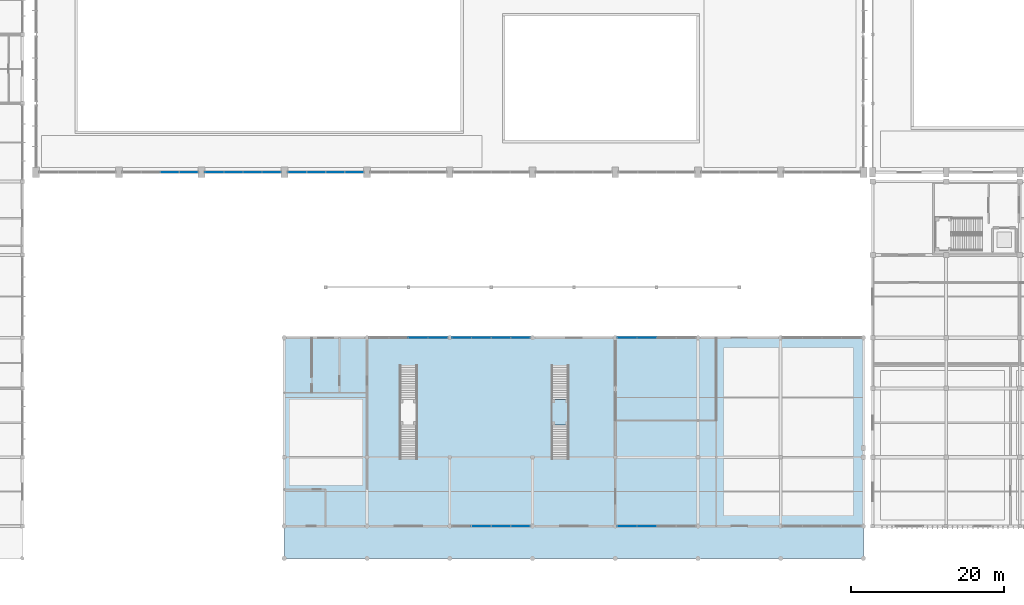
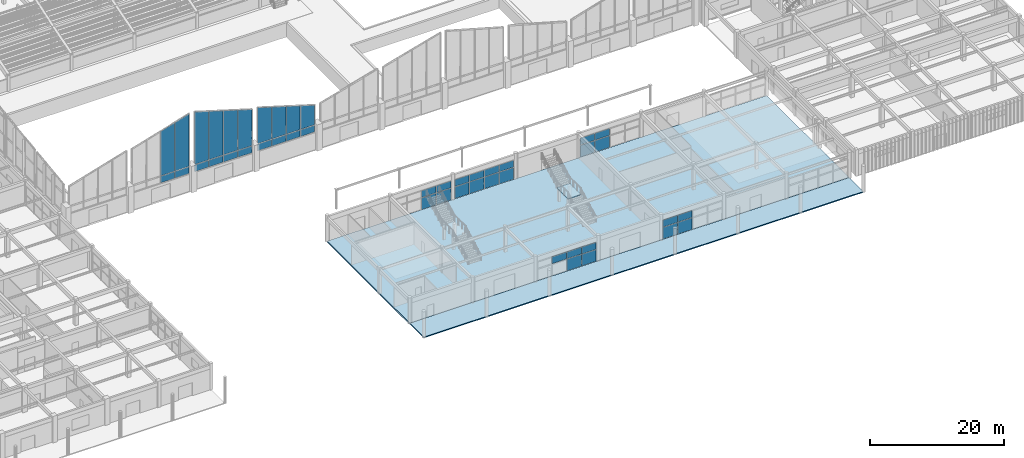
# One storey, part 41 of 82: 45 plates, 3 slabs, 9 elements without a shape of their own.
"""IFC4 building model written with IfcOpenShell, lengths in metres."""

import ifcopenshell
import ifcopenshell.guid

model = None  # the IFC model being written
_history = None  # IfcOwnerHistory: only IFC2X3 demands one
_inside = {}  # id of a spatial element -> (the spatial element, [elements in it])
_under = {}  # id of a project, library or spatial element -> (it, [spatial elements below it])
_declared = {}  # id of a project -> (the project, [libraries it declares])
_typed = {}  # id of a type object -> (the type object, [elements of that type])
_made_of = {}  # id of a material, layer set ... -> (it, [elements and type objects made of it])


def new_model(schema):
    """Start an empty IFC model of exactly this schema.

    Asked for "IFC4X3", IfcOpenShell would pick the latest addendum, in which some entities
    have other attributes; the version numbers below select the first issue.
    IFC2X3 requires an IfcOwnerHistory on every rooted entity: one is made here for all.
    """
    global model, _history
    if schema == "IFC4X3":
        model = ifcopenshell.file(schema_version=(4, 3, 0, 0))
    else:
        model = ifcopenshell.file(schema=schema)
    _inside.clear()
    _under.clear()
    _declared.clear()
    _typed.clear()
    _made_of.clear()
    _history = None
    if model.schema == "IFC2X3":
        org = make("IfcOrganization", Name="unknown")
        user = make(
            "IfcPersonAndOrganization",
            ThePerson=make("IfcPerson", FamilyName="unknown"),
            TheOrganization=org,
        )
        app = make(
            "IfcApplication",
            ApplicationDeveloper=org,
            Version="unknown",
            ApplicationFullName="unknown",
            ApplicationIdentifier="unknown",
        )
        _history = make(
            "IfcOwnerHistory",
            OwningUser=user,
            OwningApplication=app,
            ChangeAction="ADDED",
            CreationDate=0,
        )
    return model


def make(cls, **values):
    """One entity of the class cls with the attributes given. An attribute that is None is left unset."""
    return model.create_entity(
        cls, **{name: value for name, value in values.items() if value is not None}
    )


def rooted(cls, **values):
    """An entity with a GlobalId (a new one), such as an element, a storey or a relation."""
    return make(cls, GlobalId=ifcopenshell.guid.new(), OwnerHistory=_history, **values)


def si_unit(unit_type, name, prefix=None):
    """IfcSIUnit, for example si_unit("LENGTHUNIT", "METRE", prefix="MILLI")."""
    return make("IfcSIUnit", UnitType=unit_type, Prefix=prefix, Name=name)


def assignment(units):
    """IfcUnitAssignment: the units of a project."""
    return None if units is None else make("IfcUnitAssignment", Units=units)


def point(xyz):
    """IfcCartesianPoint."""
    return None if xyz is None else make("IfcCartesianPoint", Coordinates=xyz)


def direction(xyz):
    """IfcDirection."""
    return None if xyz is None else make("IfcDirection", DirectionRatios=xyz)


def frame(location, z_axis=None, x_axis=None):
    """IfcAxis2Placement3D, a coordinate frame: its origin and axes. An axis left out is left unset."""
    return make(
        "IfcAxis2Placement3D",
        Location=point(location),
        Axis=direction(z_axis),
        RefDirection=direction(x_axis),
    )


def origin():
    """The frame at (0, 0, 0) with its axes left unset."""
    return frame((0.0, 0.0, 0.0))


def place(relative_to, where):
    """IfcLocalPlacement: puts the frame where relative to a parent placement (None: the world)."""
    return make(
        "IfcLocalPlacement", PlacementRelTo=relative_to, RelativePlacement=where
    )


def context(
    kind, dimensions, precision=None, world=None, true_north=None, identifier=None
):
    """IfcGeometricRepresentationContext, for example the 3D "Model" context."""
    return make(
        "IfcGeometricRepresentationContext",
        ContextIdentifier=identifier,
        ContextType=kind,
        CoordinateSpaceDimension=dimensions,
        Precision=precision,
        WorldCoordinateSystem=world,
        TrueNorth=true_north,
    )


def subcontext(parent, identifier, kind, view, scale=None):
    """IfcGeometricRepresentationSubContext, for example "Body" below "Model"."""
    return make(
        "IfcGeometricRepresentationSubContext",
        ContextIdentifier=identifier,
        ContextType=kind,
        ParentContext=parent,
        TargetScale=scale,
        TargetView=view,
    )


def project(units=None, contexts=None):
    """IfcProject with its units and contexts."""
    return rooted(
        "IfcProject",
        Name="project",
        RepresentationContexts=contexts,
        UnitsInContext=assignment(units),
    )


def spatial(cls, under=None, at=None, **own):
    """A site, building, storey or space (cls), placed at a placement, below another one or the project."""
    s = rooted(cls, ObjectPlacement=at, **own)
    if under is not None:
        _under.setdefault(under.id(), (under, []))[1].append(s)
    return s


def polyline(points):
    """IfcPolyline through the points."""
    return make("IfcPolyline", Points=[point(p) for p in points])


def outline(outer, holes=None, kind="AREA"):
    """IfcArbitraryClosedProfileDef: a profile drawn as a closed curve; with holes, ...WithVoids."""
    if holes is None:
        return make("IfcArbitraryClosedProfileDef", ProfileType=kind, OuterCurve=outer)
    return make(
        "IfcArbitraryProfileDefWithVoids",
        ProfileType=kind,
        OuterCurve=outer,
        InnerCurves=holes,
    )


def extrude(swept, where, along, depth):
    """IfcExtrudedAreaSolid: the profile swept, set in the frame where, extruded along a direction by depth."""
    return make(
        "IfcExtrudedAreaSolid",
        SweptArea=swept,
        Position=where,
        ExtrudedDirection=direction(along),
        Depth=depth,
    )


def shape(context_of_items, identifier, shape_type, items):
    """IfcShapeRepresentation: the items that make up one representation, for example the "Body"."""
    return make(
        "IfcShapeRepresentation",
        ContextOfItems=context_of_items,
        RepresentationIdentifier=identifier,
        RepresentationType=shape_type,
        Items=items,
    )


def material(Name=None, Category=None):
    """IfcMaterial."""
    return make("IfcMaterial", Name=Name, Category=Category)


def layer(
    of_material, thickness, ventilated=None, Name=None, Category=None, Priority=None
):
    """IfcMaterialLayer: one layer of a wall or slab, of a material (None: an air gap)."""
    return make(
        "IfcMaterialLayer",
        Material=of_material,
        LayerThickness=thickness,
        IsVentilated=ventilated,
        Name=Name,
        Category=Category,
        Priority=Priority,
    )


def layer_set(layers, Name=None):
    """IfcMaterialLayerSet."""
    return make("IfcMaterialLayerSet", MaterialLayers=layers, LayerSetName=Name)


def made_of(thing, what):
    """Note that an element or type object is made of a material, layer set ...; save() writes the relation."""
    if what is not None:
        _made_of.setdefault(what.id(), (what, []))[1].append(thing)
    return thing


def type_object(cls, material=None, **own):
    """A type object (cls), such as IfcWallType, which elements share."""
    return made_of(rooted(cls, **own), material)


def element(
    cls,
    number,
    at=None,
    inside=None,
    cuts=None,
    type_object=None,
    material=None,
    context=None,
    identifier="Body",
    shape_type=None,
    held_by="IfcProductDefinitionShape",
    body=None,
    shapes=None,
    **own,
):
    """One element of the class cls, such as IfcWall. Its Tag is "e" and its number.

    at: its placement. inside: the storey or other place that contains it. cuts: it is an
    opening in that element (IfcRelVoidsElement). A single representation is given by context,
    identifier, shape_type and body (its items); several are given by shapes. held_by: the class
    of the entity that holds the representations. save() writes the other relations.
    """
    e = rooted(cls, Tag="e%d" % number, ObjectPlacement=at, **own)
    if body is not None:
        shapes = [shape(context, identifier, shape_type, body)]
    if shapes is not None:
        e.Representation = make(held_by, Representations=shapes)
    if inside is not None:
        _inside.setdefault(inside.id(), (inside, []))[1].append(e)
    if cuts is not None:
        rooted(
            "IfcRelVoidsElement", RelatingBuildingElement=cuts, RelatedOpeningElement=e
        )
    if type_object is not None:
        _typed.setdefault(type_object.id(), (type_object, []))[1].append(e)
    return made_of(e, material)


def aggregate(whole, parts):
    """IfcRelAggregates: a whole, such as a stair, and the parts it consists of."""
    return rooted("IfcRelAggregates", RelatingObject=whole, RelatedObjects=parts)


def save(model, path):
    """Write the relations noted so far, then the file.

    IfcRelAggregates (storeys below a building ...), IfcRelContainedInSpatialStructure (elements
    in a storey), IfcRelDefinesByType, IfcRelAssociatesMaterial and IfcRelDeclares: one each for
    every whole, place, type object, material and project.
    """
    for whole, parts in _under.values():
        aggregate(whole, parts)
    for where, things in _inside.values():
        rooted(
            "IfcRelContainedInSpatialStructure",
            RelatedElements=things,
            RelatingStructure=where,
        )
    for kind, things in _typed.values():
        rooted("IfcRelDefinesByType", RelatedObjects=things, RelatingType=kind)
    for what, things in _made_of.values():
        rooted("IfcRelAssociatesMaterial", RelatedObjects=things, RelatingMaterial=what)
    for by, libraries in _declared.values():
        rooted("IfcRelDeclares", RelatingContext=by, RelatedDefinitions=libraries)
    model.write(path)


model = new_model("IFC4")

# Units and contexts
model_context = context("Model", 3, precision=1e-05, world=origin(), true_north=direction((0.0, 1.0)))
body_context = subcontext(model_context, "Body", "Model", "MODEL_VIEW")
ifc_project = project(units=[si_unit("LENGTHUNIT", "METRE"), si_unit("AREAUNIT", "SQUARE_METRE"), si_unit("VOLUMEUNIT", "CUBIC_METRE"), si_unit("PLANEANGLEUNIT", "RADIAN"), si_unit("MASSUNIT", "GRAM", prefix="KILO")], contexts=[model_context])

# Site, building, storey
site_placement = place(None, origin())
site = spatial("IfcSite", under=ifc_project, at=site_placement, CompositionType="ELEMENT")
building_placement = place(site_placement, origin())
building = spatial("IfcBuilding", under=site, at=building_placement, Name="Suirenkawa Promenade Aquatics Centre", CompositionType="ELEMENT")
storey_placement = place(building_placement, origin())
storey = spatial("IfcBuildingStorey", under=building, at=storey_placement, Name="L00", CompositionType="ELEMENT", Elevation=0.0)

# Curtain wall, plates
ifc_material_1 = material(Name="Anodised aluminium 6063-T6", Category="aluminium")
curtain_wall_type_1 = type_object("IfcCurtainWallType", Name="CWAT-CLERS-08", PredefinedType="NOTDEFINED", material=ifc_material_1)
curtain_wall_1_placement = place(storey_placement, origin())
curtain_wall_1 = element("IfcCurtainWall", 1, at=curtain_wall_1_placement, inside=storey, type_object=curtain_wall_type_1, Name="Curtain wall CWA-08 CW-012", PredefinedType="NOTDEFINED")
ifc_material_2 = material(Name="Ceramic-fritted low-SHGC double glazing", Category="glass")
ifc_layer_1 = layer(ifc_material_2, 0.031982421875, Name="Ceramic-fritted low-SHGC double glazing", Category="glass")
ifc_layer_set_1 = layer_set([ifc_layer_1], Name="Ceramic-fritted low-SHGC double glazing")
plate_type_1 = type_object("IfcPlateType", Name="CWP-CLER-32", PredefinedType="CURTAIN_PANEL", material=ifc_layer_set_1)
plate_1_placement = place(storey_placement, frame((67.950927734375, 50.39990234375, 3.139892578125), z_axis=(0.0, 0.0, 1.0), x_axis=(-1.0, 0.0, 0.0)))
plate_1 = element("IfcPlate", 2, at=plate_1_placement, type_object=plate_type_1, Name="Glazed panel CP-03 CWP-00280", PredefinedType="CURTAIN_PANEL", context=body_context, shape_type="SweptSolid", body=[
    extrude(outline(polyline([(0.0400390625, 0.0), (2.435546875, 0.0), (2.435546875, 1.22021484375), (0.0400390625, 1.22021484375), (0.0400390625, 0.0)])), frame((0.0, 0.01611328125, 0.0), z_axis=(0.0, -1.0, 0.0), x_axis=(1.0, 0.0, 0.0)), (0.0, 0.0, 1.0), 0.031982421875),
])
plate_2_placement = place(storey_placement, frame((67.950927734375, 50.39990234375, 4.43994140625), z_axis=(0.0, 0.0, 1.0), x_axis=(-1.0, 0.0, 0.0)))
plate_2 = element("IfcPlate", 3, at=plate_2_placement, type_object=plate_type_1, Name="Top glazed panel CP-03 CWP-00281", PredefinedType="CURTAIN_PANEL", context=body_context, shape_type="SweptSolid", body=[
    extrude(outline(polyline([(0.0400390625, 0.0), (2.435546875, 0.0), (2.435546875, 8.820068359375), (0.0400390625, 9.570068359375), (0.0400390625, 0.0)])), frame((0.0, 0.01611328125, 0.0), z_axis=(0.0, -1.0, 0.0), x_axis=(1.0, 0.0, 0.0)), (0.0, 0.0, 1.0), 0.031982421875),
])
plate_3_placement = place(storey_placement, frame((65.4755859375, 50.39990234375, 3.139892578125), z_axis=(0.0, 0.0, 1.0), x_axis=(-1.0, 0.0, 0.0)))
plate_3 = element("IfcPlate", 4, at=plate_3_placement, type_object=plate_type_1, Name="Glazed panel CP-03 CWP-00282", PredefinedType="CURTAIN_PANEL", context=body_context, shape_type="SweptSolid", body=[
    extrude(outline(polyline([(0.0400390625, 0.0), (2.435546875, 0.0), (2.435546875, 1.22021484375), (0.0400390625, 1.22021484375), (0.0400390625, 0.0)])), frame((0.0, 0.01611328125, 0.0), z_axis=(0.0, -1.0, 0.0), x_axis=(1.0, 0.0, 0.0)), (0.0, 0.0, 1.0), 0.031982421875),
])
plate_4_placement = place(storey_placement, frame((65.4755859375, 50.39990234375, 4.43994140625), z_axis=(0.0, 0.0, 1.0), x_axis=(-1.0, 0.0, 0.0)))
plate_4 = element("IfcPlate", 5, at=plate_4_placement, type_object=plate_type_1, Name="Top glazed panel CP-03 CWP-00283", PredefinedType="CURTAIN_PANEL", context=body_context, shape_type="SweptSolid", body=[
    extrude(outline(polyline([(0.0400390625, 0.0), (2.435546875, 0.0), (2.435546875, 8.070068359375), (0.0400390625, 8.820068359375), (0.0400390625, 0.0)])), frame((0.0, 0.01611328125, 0.0), z_axis=(0.0, -1.0, 0.0), x_axis=(1.0, 0.0, 0.0)), (0.0, 0.0, 1.0), 0.031982421875),
])
aggregate(curtain_wall_1, [plate_1, plate_2, plate_3, plate_4])

curtain_wall_2_placement = place(storey_placement, origin())
curtain_wall_2 = element("IfcCurtainWall", 6, at=curtain_wall_2_placement, inside=storey, type_object=curtain_wall_type_1, Name="Curtain wall CWA-08 CW-014", PredefinedType="NOTDEFINED")
plate_5_placement = place(storey_placement, frame((78.7509765625, 50.39990234375, 3.139892578125), z_axis=(0.0, 0.0, 1.0), x_axis=(-1.0, 0.0, 0.0)))
plate_5 = element("IfcPlate", 7, at=plate_5_placement, type_object=plate_type_1, Name="Glazed panel CP-03 CWP-00318", PredefinedType="CURTAIN_PANEL", context=body_context, shape_type="SweptSolid", body=[
    extrude(outline(polyline([(0.0400390625, 0.0), (2.435546875, 0.0), (2.435546875, 1.22021484375), (0.0400390625, 1.22021484375), (0.0400390625, 0.0)])), frame((0.0, 0.01611328125, 0.0), z_axis=(0.0, -1.0, 0.0), x_axis=(1.0, 0.0, 0.0)), (0.0, 0.0, 1.0), 0.031982421875),
])
plate_6_placement = place(storey_placement, frame((78.7509765625, 50.39990234375, 4.43994140625), z_axis=(0.0, 0.0, 1.0), x_axis=(-1.0, 0.0, 0.0)))
plate_6 = element("IfcPlate", 8, at=plate_6_placement, type_object=plate_type_1, Name="Top glazed panel CP-03 CWP-00319", PredefinedType="CURTAIN_PANEL", context=body_context, shape_type="SweptSolid", body=[
    extrude(outline(polyline([(0.0400390625, 0.0), (2.435546875, 0.0), (2.435546875, 7.320068359375), (0.0400390625, 6.570068359375), (0.0400390625, 0.0)])), frame((0.0, 0.01611328125, 0.0), z_axis=(0.0, -1.0, 0.0), x_axis=(1.0, 0.0, 0.0)), (0.0, 0.0, 1.0), 0.031982421875),
])
plate_7_placement = place(storey_placement, frame((76.275390625, 50.39990234375, 3.139892578125), z_axis=(0.0, 0.0, 1.0), x_axis=(-1.0, 0.0, 0.0)))
plate_7 = element("IfcPlate", 9, at=plate_7_placement, type_object=plate_type_1, Name="Glazed panel CP-03 CWP-00320", PredefinedType="CURTAIN_PANEL", context=body_context, shape_type="SweptSolid", body=[
    extrude(outline(polyline([(0.0400390625, 0.0), (2.435546875, 0.0), (2.435546875, 1.22021484375), (0.0400390625, 1.22021484375), (0.0400390625, 0.0)])), frame((0.0, 0.01611328125, 0.0), z_axis=(0.0, -1.0, 0.0), x_axis=(1.0, 0.0, 0.0)), (0.0, 0.0, 1.0), 0.031982421875),
])
plate_8_placement = place(storey_placement, frame((76.275390625, 50.39990234375, 4.43994140625), z_axis=(0.0, 0.0, 1.0), x_axis=(-1.0, 0.0, 0.0)))
plate_8 = element("IfcPlate", 10, at=plate_8_placement, type_object=plate_type_1, Name="Top glazed panel CP-03 CWP-00321", PredefinedType="CURTAIN_PANEL", context=body_context, shape_type="SweptSolid", body=[
    extrude(outline(polyline([(0.0400390625, 0.0), (2.435546875, 0.0), (2.435546875, 8.070068359375), (0.0400390625, 7.320068359375), (0.0400390625, 0.0)])), frame((0.0, 0.01611328125, 0.0), z_axis=(0.0, -1.0, 0.0), x_axis=(1.0, 0.0, 0.0)), (0.0, 0.0, 1.0), 0.031982421875),
])
plate_9_placement = place(storey_placement, frame((73.800048828125, 50.39990234375, 3.139892578125), z_axis=(0.0, 0.0, 1.0), x_axis=(-1.0, 0.0, 0.0)))
plate_9 = element("IfcPlate", 11, at=plate_9_placement, type_object=plate_type_1, Name="Glazed panel CP-03 CWP-00322", PredefinedType="CURTAIN_PANEL", context=body_context, shape_type="SweptSolid", body=[
    extrude(outline(polyline([(0.0400390625, 0.0), (2.435546875, 0.0), (2.435546875, 1.22021484375), (0.0400390625, 1.22021484375), (0.0400390625, 0.0)])), frame((0.0, 0.01611328125, 0.0), z_axis=(0.0, -1.0, 0.0), x_axis=(1.0, 0.0, 0.0)), (0.0, 0.0, 1.0), 0.031982421875),
])
plate_10_placement = place(storey_placement, frame((73.800048828125, 50.39990234375, 4.43994140625), z_axis=(0.0, 0.0, 1.0), x_axis=(-1.0, 0.0, 0.0)))
plate_10 = element("IfcPlate", 12, at=plate_10_placement, type_object=plate_type_1, Name="Top glazed panel CP-03 CWP-00323", PredefinedType="CURTAIN_PANEL", context=body_context, shape_type="SweptSolid", body=[
    extrude(outline(polyline([(0.0400390625, 0.0), (2.435546875, 0.0), (2.435546875, 8.820068359375), (0.0400390625, 8.070068359375), (0.0400390625, 0.0)])), frame((0.0, 0.01611328125, 0.0), z_axis=(0.0, -1.0, 0.0), x_axis=(1.0, 0.0, 0.0)), (0.0, 0.0, 1.0), 0.031982421875),
])
plate_11_placement = place(storey_placement, frame((71.324462890625, 50.39990234375, 3.139892578125), z_axis=(0.0, 0.0, 1.0), x_axis=(-1.0, 0.0, 0.0)))
plate_11 = element("IfcPlate", 13, at=plate_11_placement, type_object=plate_type_1, Name="Glazed panel CP-03 CWP-00324", PredefinedType="CURTAIN_PANEL", context=body_context, shape_type="SweptSolid", body=[
    extrude(outline(polyline([(0.0400390625, 0.0), (2.435546875, 0.0), (2.435546875, 1.22021484375), (0.0400390625, 1.22021484375), (0.0400390625, 0.0)])), frame((0.0, 0.01611328125, 0.0), z_axis=(0.0, -1.0, 0.0), x_axis=(1.0, 0.0, 0.0)), (0.0, 0.0, 1.0), 0.031982421875),
])
plate_12_placement = place(storey_placement, frame((71.324462890625, 50.39990234375, 4.43994140625), z_axis=(0.0, 0.0, 1.0), x_axis=(-1.0, 0.0, 0.0)))
plate_12 = element("IfcPlate", 14, at=plate_12_placement, type_object=plate_type_1, Name="Top glazed panel CP-03 CWP-00325", PredefinedType="CURTAIN_PANEL", context=body_context, shape_type="SweptSolid", body=[
    extrude(outline(polyline([(0.0400390625, 0.0), (2.435546875, 0.0), (2.435546875, 9.570068359375), (0.0400390625, 8.820068359375), (0.0400390625, 0.0)])), frame((0.0, 0.01611328125, 0.0), z_axis=(0.0, -1.0, 0.0), x_axis=(1.0, 0.0, 0.0)), (0.0, 0.0, 1.0), 0.031982421875),
])
aggregate(curtain_wall_2, [plate_5, plate_6, plate_7, plate_8, plate_9, plate_10, plate_11, plate_12])

curtain_wall_type_2 = type_object("IfcCurtainWallType", Name="CWAT-CLERS-05", PredefinedType="NOTDEFINED", material=ifc_material_1)
curtain_wall_3_placement = place(storey_placement, origin())
curtain_wall_3 = element("IfcCurtainWall", 15, at=curtain_wall_3_placement, inside=storey, type_object=curtain_wall_type_2, Name="Curtain wall CWA-05 CW-016", PredefinedType="NOTDEFINED")
plate_13_placement = place(storey_placement, frame((89.551025390625, 50.39990234375, 3.139892578125), z_axis=(0.0, 0.0, 1.0), x_axis=(-1.0, 0.0, 0.0)))
plate_13 = element("IfcPlate", 16, at=plate_13_placement, type_object=plate_type_1, Name="Glazed panel CP-03 CWP-00356", PredefinedType="CURTAIN_PANEL", context=body_context, shape_type="SweptSolid", body=[
    extrude(outline(polyline([(0.0400390625, 0.0), (2.435546875, 0.0), (2.435546875, 1.22021484375), (0.0400390625, 1.22021484375), (0.0400390625, 0.0)])), frame((0.0, 0.01611328125, 0.0), z_axis=(0.0, -1.0, 0.0), x_axis=(1.0, 0.0, 0.0)), (0.0, 0.0, 1.0), 0.031982421875),
])
plate_14_placement = place(storey_placement, frame((89.551025390625, 50.39990234375, 4.43994140625), z_axis=(0.0, 0.0, 1.0), x_axis=(-1.0, 0.0, 0.0)))
plate_14 = element("IfcPlate", 17, at=plate_14_placement, type_object=plate_type_1, Name="Top glazed panel CP-03 CWP-00357", PredefinedType="CURTAIN_PANEL", context=body_context, shape_type="SweptSolid", body=[
    extrude(outline(polyline([(0.0400390625, 0.0), (2.435546875, 0.0), (2.435546875, 4.320068359375), (0.0400390625, 3.570068359375), (0.0400390625, 0.0)])), frame((0.0, 0.01611328125, 0.0), z_axis=(0.0, -1.0, 0.0), x_axis=(1.0, 0.0, 0.0)), (0.0, 0.0, 1.0), 0.031982421875),
])
plate_15_placement = place(storey_placement, frame((87.075439453125, 50.39990234375, 3.139892578125), z_axis=(0.0, 0.0, 1.0), x_axis=(-1.0, 0.0, 0.0)))
plate_15 = element("IfcPlate", 18, at=plate_15_placement, type_object=plate_type_1, Name="Glazed panel CP-03 CWP-00358", PredefinedType="CURTAIN_PANEL", context=body_context, shape_type="SweptSolid", body=[
    extrude(outline(polyline([(0.0400390625, 0.0), (2.435546875, 0.0), (2.435546875, 1.22021484375), (0.0400390625, 1.22021484375), (0.0400390625, 0.0)])), frame((0.0, 0.01611328125, 0.0), z_axis=(0.0, -1.0, 0.0), x_axis=(1.0, 0.0, 0.0)), (0.0, 0.0, 1.0), 0.031982421875),
])
plate_16_placement = place(storey_placement, frame((87.075439453125, 50.39990234375, 4.43994140625), z_axis=(0.0, 0.0, 1.0), x_axis=(-1.0, 0.0, 0.0)))
plate_16 = element("IfcPlate", 19, at=plate_16_placement, type_object=plate_type_1, Name="Top glazed panel CP-03 CWP-00359", PredefinedType="CURTAIN_PANEL", context=body_context, shape_type="SweptSolid", body=[
    extrude(outline(polyline([(0.0400390625, 0.0), (2.435546875, 0.0), (2.435546875, 5.070068359375), (0.0400390625, 4.320068359375), (0.0400390625, 0.0)])), frame((0.0, 0.01611328125, 0.0), z_axis=(0.0, -1.0, 0.0), x_axis=(1.0, 0.0, 0.0)), (0.0, 0.0, 1.0), 0.031982421875),
])
plate_17_placement = place(storey_placement, frame((84.60009765625, 50.39990234375, 3.139892578125), z_axis=(0.0, 0.0, 1.0), x_axis=(-1.0, 0.0, 0.0)))
plate_17 = element("IfcPlate", 20, at=plate_17_placement, type_object=plate_type_1, Name="Glazed panel CP-03 CWP-00360", PredefinedType="CURTAIN_PANEL", context=body_context, shape_type="SweptSolid", body=[
    extrude(outline(polyline([(0.0400390625, 0.0), (2.435546875, 0.0), (2.435546875, 1.22021484375), (0.0400390625, 1.22021484375), (0.0400390625, 0.0)])), frame((0.0, 0.01611328125, 0.0), z_axis=(0.0, -1.0, 0.0), x_axis=(1.0, 0.0, 0.0)), (0.0, 0.0, 1.0), 0.031982421875),
])
plate_18_placement = place(storey_placement, frame((84.60009765625, 50.39990234375, 4.43994140625), z_axis=(0.0, 0.0, 1.0), x_axis=(-1.0, 0.0, 0.0)))
plate_18 = element("IfcPlate", 21, at=plate_18_placement, type_object=plate_type_1, Name="Top glazed panel CP-03 CWP-00361", PredefinedType="CURTAIN_PANEL", context=body_context, shape_type="SweptSolid", body=[
    extrude(outline(polyline([(0.0400390625, 0.0), (2.435546875, 0.0), (2.435546875, 5.820068359375), (0.0400390625, 5.070068359375), (0.0400390625, 0.0)])), frame((0.0, 0.01611328125, 0.0), z_axis=(0.0, -1.0, 0.0), x_axis=(1.0, 0.0, 0.0)), (0.0, 0.0, 1.0), 0.031982421875),
])
plate_19_placement = place(storey_placement, frame((82.12451171875, 50.39990234375, 3.139892578125), z_axis=(0.0, 0.0, 1.0), x_axis=(-1.0, 0.0, 0.0)))
plate_19 = element("IfcPlate", 22, at=plate_19_placement, type_object=plate_type_1, Name="Glazed panel CP-03 CWP-00362", PredefinedType="CURTAIN_PANEL", context=body_context, shape_type="SweptSolid", body=[
    extrude(outline(polyline([(0.0400390625, 0.0), (2.435546875, 0.0), (2.435546875, 1.22021484375), (0.0400390625, 1.22021484375), (0.0400390625, 0.0)])), frame((0.0, 0.01611328125, 0.0), z_axis=(0.0, -1.0, 0.0), x_axis=(1.0, 0.0, 0.0)), (0.0, 0.0, 1.0), 0.031982421875),
])
plate_20_placement = place(storey_placement, frame((82.12451171875, 50.39990234375, 4.43994140625), z_axis=(0.0, 0.0, 1.0), x_axis=(-1.0, 0.0, 0.0)))
plate_20 = element("IfcPlate", 23, at=plate_20_placement, type_object=plate_type_1, Name="Top glazed panel CP-03 CWP-00363", PredefinedType="CURTAIN_PANEL", context=body_context, shape_type="SweptSolid", body=[
    extrude(outline(polyline([(0.0400390625, 0.0), (2.435546875, 0.0), (2.435546875, 6.570068359375), (0.0400390625, 5.820068359375), (0.0400390625, 0.0)])), frame((0.0, 0.01611328125, 0.0), z_axis=(0.0, -1.0, 0.0), x_axis=(1.0, 0.0, 0.0)), (0.0, 0.0, 1.0), 0.031982421875),
])
aggregate(curtain_wall_3, [plate_13, plate_14, plate_15, plate_16, plate_17, plate_18, plate_19, plate_20])

curtain_wall_type_3 = type_object("IfcCurtainWallType", Name="CWAT-V3NL0-26", PredefinedType="NOTDEFINED", material=ifc_material_1)
curtain_wall_4_placement = place(storey_placement, origin())
curtain_wall_4 = element("IfcCurtainWall", 24, at=curtain_wall_4_placement, inside=storey, type_object=curtain_wall_type_3, Name="Curtain wall CWA-26 CW-058", PredefinedType="NOTDEFINED")
ifc_material_3 = material(Name="Low-E thermally broken double glazing", Category="glass")
ifc_layer_2 = layer(ifc_material_3, 0.0419921875, Name="Low-E thermally broken double glazing", Category="glass")
ifc_layer_set_2 = layer_set([ifc_layer_2], Name="Low-E thermally broken double glazing")
plate_type_2 = type_object("IfcPlateType", Name="CWP-FOYER-42", PredefinedType="CURTAIN_PANEL", material=ifc_layer_set_2)
plate_21_placement = place(storey_placement, frame((95.39990234375, 28.800048828125, 0.0400390625), z_axis=(0.0, 0.0, 1.0), x_axis=(1.0, 0.0, 0.0)))
plate_21 = element("IfcPlate", 25, at=plate_21_placement, type_object=plate_type_2, Name="Glazed panel CP-04 CWP-01163", PredefinedType="CURTAIN_PANEL", context=body_context, shape_type="SweptSolid", body=[
    extrude(outline(polyline([(0.0400390625, 0.0), (2.510498046875, 0.0), (2.510498046875, 2.119873046875), (0.0400390625, 2.119873046875), (0.0400390625, 0.0)])), frame((0.0, 0.02099609375, 0.0), z_axis=(0.0, -1.0, 0.0), x_axis=(1.0, 0.0, 0.0)), (0.0, 0.0, 1.0), 0.0419921875),
])
plate_22_placement = place(storey_placement, frame((95.39990234375, 28.800048828125, 2.239990234375), z_axis=(0.0, 0.0, 1.0), x_axis=(1.0, 0.0, 0.0)))
plate_22 = element("IfcPlate", 26, at=plate_22_placement, type_object=plate_type_2, Name="Top glazed panel CP-04 CWP-01164", PredefinedType="CURTAIN_PANEL", context=body_context, shape_type="SweptSolid", body=[
    extrude(outline(polyline([(0.0400390625, 0.0), (2.510498046875, 0.0), (2.510498046875, 1.239990234375), (0.0400390625, 1.239990234375), (0.0400390625, 0.0)])), frame((0.0, 0.02099609375, 0.0), z_axis=(0.0, -1.0, 0.0), x_axis=(1.0, 0.0, 0.0)), (0.0, 0.0, 1.0), 0.0419921875),
])
plate_23_placement = place(storey_placement, frame((97.950439453125, 28.800048828125, 0.0400390625), z_axis=(0.0, 0.0, 1.0), x_axis=(1.0, 0.0, 0.0)))
plate_23 = element("IfcPlate", 27, at=plate_23_placement, type_object=plate_type_2, Name="Glazed panel CP-04 CWP-01165", PredefinedType="CURTAIN_PANEL", context=body_context, shape_type="SweptSolid", body=[
    extrude(outline(polyline([(0.0400390625, 0.0), (2.510498046875, 0.0), (2.510498046875, 2.119873046875), (0.0400390625, 2.119873046875), (0.0400390625, 0.0)])), frame((0.0, 0.02099609375, 0.0), z_axis=(0.0, -1.0, 0.0), x_axis=(1.0, 0.0, 0.0)), (0.0, 0.0, 1.0), 0.0419921875),
])
plate_24_placement = place(storey_placement, frame((97.950439453125, 28.800048828125, 2.239990234375), z_axis=(0.0, 0.0, 1.0), x_axis=(1.0, 0.0, 0.0)))
plate_24 = element("IfcPlate", 28, at=plate_24_placement, type_object=plate_type_2, Name="Top glazed panel CP-04 CWP-01166", PredefinedType="CURTAIN_PANEL", context=body_context, shape_type="SweptSolid", body=[
    extrude(outline(polyline([(0.0400390625, 0.0), (2.510498046875, 0.0), (2.510498046875, 1.239990234375), (0.0400390625, 1.239990234375), (0.0400390625, 0.0)])), frame((0.0, 0.02099609375, 0.0), z_axis=(0.0, -1.0, 0.0), x_axis=(1.0, 0.0, 0.0)), (0.0, 0.0, 1.0), 0.0419921875),
])
aggregate(curtain_wall_4, [plate_21, plate_22, plate_23, plate_24])

curtain_wall_type_4 = type_object("IfcCurtainWallType", Name="CWAT-V3SL0-27", PredefinedType="NOTDEFINED", material=ifc_material_1)
curtain_wall_5_placement = place(storey_placement, origin())
curtain_wall_5 = element("IfcCurtainWall", 29, at=curtain_wall_5_placement, inside=storey, type_object=curtain_wall_type_4, Name="Curtain wall CWA-27 CW-061", PredefinedType="NOTDEFINED")
plate_25_placement = place(storey_placement, frame((111.301025390625, 4.199951171875, 0.0400390625), z_axis=(0.0, 0.0, 1.0), x_axis=(-1.0, 0.0, 0.0)))
plate_25 = element("IfcPlate", 30, at=plate_25_placement, type_object=plate_type_2, Name="Glazed panel CP-04 CWP-01225", PredefinedType="CURTAIN_PANEL", context=body_context, shape_type="SweptSolid", body=[
    extrude(outline(polyline([(0.0400390625, 0.0), (2.510498046875, 0.0), (2.510498046875, 2.119873046875), (0.0400390625, 2.119873046875), (0.0400390625, 0.0)])), frame((0.0, 0.02099609375, 0.0), z_axis=(0.0, -1.0, 0.0), x_axis=(1.0, 0.0, 0.0)), (0.0, 0.0, 1.0), 0.0419921875),
])
plate_26_placement = place(storey_placement, frame((111.301025390625, 4.199951171875, 2.239990234375), z_axis=(0.0, 0.0, 1.0), x_axis=(-1.0, 0.0, 0.0)))
plate_26 = element("IfcPlate", 31, at=plate_26_placement, type_object=plate_type_2, Name="Top glazed panel CP-04 CWP-01226", PredefinedType="CURTAIN_PANEL", context=body_context, shape_type="SweptSolid", body=[
    extrude(outline(polyline([(0.0400390625, 0.0), (2.510498046875, 0.0), (2.510498046875, 1.239990234375), (0.0400390625, 1.239990234375), (0.0400390625, 0.0)])), frame((0.0, 0.02099609375, 0.0), z_axis=(0.0, -1.0, 0.0), x_axis=(1.0, 0.0, 0.0)), (0.0, 0.0, 1.0), 0.0419921875),
])
plate_27_placement = place(storey_placement, frame((108.75048828125, 4.199951171875, 0.0400390625), z_axis=(0.0, 0.0, 1.0), x_axis=(-1.0, 0.0, 0.0)))
plate_27 = element("IfcPlate", 32, at=plate_27_placement, type_object=plate_type_2, Name="Glazed panel CP-04 CWP-01227", PredefinedType="CURTAIN_PANEL", context=body_context, shape_type="SweptSolid", body=[
    extrude(outline(polyline([(0.0400390625, 0.0), (2.510498046875, 0.0), (2.510498046875, 2.119873046875), (0.0400390625, 2.119873046875), (0.0400390625, 0.0)])), frame((0.0, 0.02099609375, 0.0), z_axis=(0.0, -1.0, 0.0), x_axis=(1.0, 0.0, 0.0)), (0.0, 0.0, 1.0), 0.0419921875),
])
plate_28_placement = place(storey_placement, frame((108.75048828125, 4.199951171875, 2.239990234375), z_axis=(0.0, 0.0, 1.0), x_axis=(-1.0, 0.0, 0.0)))
plate_28 = element("IfcPlate", 33, at=plate_28_placement, type_object=plate_type_2, Name="Top glazed panel CP-04 CWP-01228", PredefinedType="CURTAIN_PANEL", context=body_context, shape_type="SweptSolid", body=[
    extrude(outline(polyline([(0.0400390625, 0.0), (2.510498046875, 0.0), (2.510498046875, 1.239990234375), (0.0400390625, 1.239990234375), (0.0400390625, 0.0)])), frame((0.0, 0.02099609375, 0.0), z_axis=(0.0, -1.0, 0.0), x_axis=(1.0, 0.0, 0.0)), (0.0, 0.0, 1.0), 0.0419921875),
])
plate_29_placement = place(storey_placement, frame((106.199951171875, 4.199951171875, 2.239990234375), z_axis=(0.0, 0.0, 1.0), x_axis=(-1.0, 0.0, 0.0)))
plate_29 = element("IfcPlate", 34, at=plate_29_placement, type_object=plate_type_2, Name="Top glazed panel CP-04 CWP-01230", PredefinedType="CURTAIN_PANEL", context=body_context, shape_type="SweptSolid", body=[
    extrude(outline(polyline([(0.0400390625, 0.0), (2.510498046875, 0.0), (2.510498046875, 1.239990234375), (0.0400390625, 1.239990234375), (0.0400390625, 0.0)])), frame((0.0, 0.02099609375, 0.0), z_axis=(0.0, -1.0, 0.0), x_axis=(1.0, 0.0, 0.0)), (0.0, 0.0, 1.0), 0.0419921875),
])
aggregate(curtain_wall_5, [plate_25, plate_26, plate_27, plate_28, plate_29])

curtain_wall_6_placement = place(storey_placement, origin())
curtain_wall_6 = element("IfcCurtainWall", 35, at=curtain_wall_6_placement, inside=storey, type_object=curtain_wall_type_3, Name="Curtain wall CWA-26 CW-062", PredefinedType="NOTDEFINED")
plate_30_placement = place(storey_placement, frame((101.09912109375, 28.800048828125, 0.0400390625), z_axis=(0.0, 0.0, 1.0), x_axis=(1.0, 0.0, 0.0)))
plate_30 = element("IfcPlate", 36, at=plate_30_placement, type_object=plate_type_2, Name="Glazed panel CP-04 CWP-01247", PredefinedType="CURTAIN_PANEL", context=body_context, shape_type="SweptSolid", body=[
    extrude(outline(polyline([(0.0400390625, 0.0), (2.510498046875, 0.0), (2.510498046875, 2.119873046875), (0.0400390625, 2.119873046875), (0.0400390625, 0.0)])), frame((0.0, 0.02099609375, 0.0), z_axis=(0.0, -1.0, 0.0), x_axis=(1.0, 0.0, 0.0)), (0.0, 0.0, 1.0), 0.0419921875),
])
plate_31_placement = place(storey_placement, frame((101.09912109375, 28.800048828125, 2.239990234375), z_axis=(0.0, 0.0, 1.0), x_axis=(1.0, 0.0, 0.0)))
plate_31 = element("IfcPlate", 37, at=plate_31_placement, type_object=plate_type_2, Name="Top glazed panel CP-04 CWP-01248", PredefinedType="CURTAIN_PANEL", context=body_context, shape_type="SweptSolid", body=[
    extrude(outline(polyline([(0.0400390625, 0.0), (2.510498046875, 0.0), (2.510498046875, 1.239990234375), (0.0400390625, 1.239990234375), (0.0400390625, 0.0)])), frame((0.0, 0.02099609375, 0.0), z_axis=(0.0, -1.0, 0.0), x_axis=(1.0, 0.0, 0.0)), (0.0, 0.0, 1.0), 0.0419921875),
])
plate_32_placement = place(storey_placement, frame((103.6494140625, 28.800048828125, 0.0400390625), z_axis=(0.0, 0.0, 1.0), x_axis=(1.0, 0.0, 0.0)))
plate_32 = element("IfcPlate", 38, at=plate_32_placement, type_object=plate_type_2, Name="Glazed panel CP-04 CWP-01249", PredefinedType="CURTAIN_PANEL", context=body_context, shape_type="SweptSolid", body=[
    extrude(outline(polyline([(0.0400390625, 0.0), (2.510498046875, 0.0), (2.510498046875, 2.119873046875), (0.0400390625, 2.119873046875), (0.0400390625, 0.0)])), frame((0.0, 0.02099609375, 0.0), z_axis=(0.0, -1.0, 0.0), x_axis=(1.0, 0.0, 0.0)), (0.0, 0.0, 1.0), 0.0419921875),
])
plate_33_placement = place(storey_placement, frame((103.6494140625, 28.800048828125, 2.239990234375), z_axis=(0.0, 0.0, 1.0), x_axis=(1.0, 0.0, 0.0)))
plate_33 = element("IfcPlate", 39, at=plate_33_placement, type_object=plate_type_2, Name="Top glazed panel CP-04 CWP-01250", PredefinedType="CURTAIN_PANEL", context=body_context, shape_type="SweptSolid", body=[
    extrude(outline(polyline([(0.0400390625, 0.0), (2.510498046875, 0.0), (2.510498046875, 1.239990234375), (0.0400390625, 1.239990234375), (0.0400390625, 0.0)])), frame((0.0, 0.02099609375, 0.0), z_axis=(0.0, -1.0, 0.0), x_axis=(1.0, 0.0, 0.0)), (0.0, 0.0, 1.0), 0.0419921875),
])
plate_34_placement = place(storey_placement, frame((106.199951171875, 28.800048828125, 0.0400390625), z_axis=(0.0, 0.0, 1.0), x_axis=(1.0, 0.0, 0.0)))
plate_34 = element("IfcPlate", 40, at=plate_34_placement, type_object=plate_type_2, Name="Glazed panel CP-04 CWP-01251", PredefinedType="CURTAIN_PANEL", context=body_context, shape_type="SweptSolid", body=[
    extrude(outline(polyline([(0.0400390625, 0.0), (2.510498046875, 0.0), (2.510498046875, 2.119873046875), (0.0400390625, 2.119873046875), (0.0400390625, 0.0)])), frame((0.0, 0.02099609375, 0.0), z_axis=(0.0, -1.0, 0.0), x_axis=(1.0, 0.0, 0.0)), (0.0, 0.0, 1.0), 0.0419921875),
])
plate_35_placement = place(storey_placement, frame((106.199951171875, 28.800048828125, 2.239990234375), z_axis=(0.0, 0.0, 1.0), x_axis=(1.0, 0.0, 0.0)))
plate_35 = element("IfcPlate", 41, at=plate_35_placement, type_object=plate_type_2, Name="Top glazed panel CP-04 CWP-01252", PredefinedType="CURTAIN_PANEL", context=body_context, shape_type="SweptSolid", body=[
    extrude(outline(polyline([(0.0400390625, 0.0), (2.510498046875, 0.0), (2.510498046875, 1.239990234375), (0.0400390625, 1.239990234375), (0.0400390625, 0.0)])), frame((0.0, 0.02099609375, 0.0), z_axis=(0.0, -1.0, 0.0), x_axis=(1.0, 0.0, 0.0)), (0.0, 0.0, 1.0), 0.0419921875),
])
plate_36_placement = place(storey_placement, frame((108.75048828125, 28.800048828125, 0.0400390625), z_axis=(0.0, 0.0, 1.0), x_axis=(1.0, 0.0, 0.0)))
plate_36 = element("IfcPlate", 42, at=plate_36_placement, type_object=plate_type_2, Name="Glazed panel CP-04 CWP-01253", PredefinedType="CURTAIN_PANEL", context=body_context, shape_type="SweptSolid", body=[
    extrude(outline(polyline([(0.0400390625, 0.0), (2.510498046875, 0.0), (2.510498046875, 2.119873046875), (0.0400390625, 2.119873046875), (0.0400390625, 0.0)])), frame((0.0, 0.02099609375, 0.0), z_axis=(0.0, -1.0, 0.0), x_axis=(1.0, 0.0, 0.0)), (0.0, 0.0, 1.0), 0.0419921875),
])
plate_37_placement = place(storey_placement, frame((108.75048828125, 28.800048828125, 2.239990234375), z_axis=(0.0, 0.0, 1.0), x_axis=(1.0, 0.0, 0.0)))
plate_37 = element("IfcPlate", 43, at=plate_37_placement, type_object=plate_type_2, Name="Top glazed panel CP-04 CWP-01254", PredefinedType="CURTAIN_PANEL", context=body_context, shape_type="SweptSolid", body=[
    extrude(outline(polyline([(0.0400390625, 0.0), (2.510498046875, 0.0), (2.510498046875, 1.239990234375), (0.0400390625, 1.239990234375), (0.0400390625, 0.0)])), frame((0.0, 0.02099609375, 0.0), z_axis=(0.0, -1.0, 0.0), x_axis=(1.0, 0.0, 0.0)), (0.0, 0.0, 1.0), 0.0419921875),
])
aggregate(curtain_wall_6, [plate_30, plate_31, plate_32, plate_33, plate_34, plate_35, plate_36, plate_37])

curtain_wall_7_placement = place(storey_placement, origin())
curtain_wall_7 = element("IfcCurtainWall", 44, at=curtain_wall_7_placement, inside=storey, type_object=curtain_wall_type_4, Name="Curtain wall CWA-27 CW-067", PredefinedType="NOTDEFINED")
plate_38_placement = place(storey_placement, frame((127.800048828125, 4.199951171875, 0.0400390625), z_axis=(0.0, 0.0, 1.0), x_axis=(-1.0, 0.0, 0.0)))
plate_38 = element("IfcPlate", 45, at=plate_38_placement, type_object=plate_type_2, Name="Glazed panel CP-04 CWP-01361", PredefinedType="CURTAIN_PANEL", context=body_context, shape_type="SweptSolid", body=[
    extrude(outline(polyline([(0.0400390625, 0.0), (2.510498046875, 0.0), (2.510498046875, 2.119873046875), (0.0400390625, 2.119873046875), (0.0400390625, 0.0)])), frame((0.0, 0.02099609375, 0.0), z_axis=(0.0, -1.0, 0.0), x_axis=(1.0, 0.0, 0.0)), (0.0, 0.0, 1.0), 0.0419921875),
])
plate_39_placement = place(storey_placement, frame((127.800048828125, 4.199951171875, 2.239990234375), z_axis=(0.0, 0.0, 1.0), x_axis=(-1.0, 0.0, 0.0)))
plate_39 = element("IfcPlate", 46, at=plate_39_placement, type_object=plate_type_2, Name="Top glazed panel CP-04 CWP-01362", PredefinedType="CURTAIN_PANEL", context=body_context, shape_type="SweptSolid", body=[
    extrude(outline(polyline([(0.0400390625, 0.0), (2.510498046875, 0.0), (2.510498046875, 1.239990234375), (0.0400390625, 1.239990234375), (0.0400390625, 0.0)])), frame((0.0, 0.02099609375, 0.0), z_axis=(0.0, -1.0, 0.0), x_axis=(1.0, 0.0, 0.0)), (0.0, 0.0, 1.0), 0.0419921875),
])
plate_40_placement = place(storey_placement, frame((125.24951171875, 4.199951171875, 0.0400390625), z_axis=(0.0, 0.0, 1.0), x_axis=(-1.0, 0.0, 0.0)))
plate_40 = element("IfcPlate", 47, at=plate_40_placement, type_object=plate_type_2, Name="Glazed panel CP-04 CWP-01363", PredefinedType="CURTAIN_PANEL", context=body_context, shape_type="SweptSolid", body=[
    extrude(outline(polyline([(0.0400390625, 0.0), (2.510498046875, 0.0), (2.510498046875, 2.119873046875), (0.0400390625, 2.119873046875), (0.0400390625, 0.0)])), frame((0.0, 0.02099609375, 0.0), z_axis=(0.0, -1.0, 0.0), x_axis=(1.0, 0.0, 0.0)), (0.0, 0.0, 1.0), 0.0419921875),
])
plate_41_placement = place(storey_placement, frame((125.24951171875, 4.199951171875, 2.239990234375), z_axis=(0.0, 0.0, 1.0), x_axis=(-1.0, 0.0, 0.0)))
plate_41 = element("IfcPlate", 48, at=plate_41_placement, type_object=plate_type_2, Name="Top glazed panel CP-04 CWP-01364", PredefinedType="CURTAIN_PANEL", context=body_context, shape_type="SweptSolid", body=[
    extrude(outline(polyline([(0.0400390625, 0.0), (2.510498046875, 0.0), (2.510498046875, 1.239990234375), (0.0400390625, 1.239990234375), (0.0400390625, 0.0)])), frame((0.0, 0.02099609375, 0.0), z_axis=(0.0, -1.0, 0.0), x_axis=(1.0, 0.0, 0.0)), (0.0, 0.0, 1.0), 0.0419921875),
])
aggregate(curtain_wall_7, [plate_38, plate_39, plate_40, plate_41])

curtain_wall_8_placement = place(storey_placement, origin())
curtain_wall_8 = element("IfcCurtainWall", 49, at=curtain_wall_8_placement, inside=storey, type_object=curtain_wall_type_3, Name="Curtain wall CWA-26 CW-068", PredefinedType="NOTDEFINED")
plate_42_placement = place(storey_placement, frame((122.698974609375, 28.800048828125, 0.0400390625), z_axis=(0.0, 0.0, 1.0), x_axis=(1.0, 0.0, 0.0)))
plate_42 = element("IfcPlate", 50, at=plate_42_placement, type_object=plate_type_2, Name="Glazed panel CP-04 CWP-01379", PredefinedType="CURTAIN_PANEL", context=body_context, shape_type="SweptSolid", body=[
    extrude(outline(polyline([(0.0400390625, 0.0), (2.510498046875, 0.0), (2.510498046875, 2.119873046875), (0.0400390625, 2.119873046875), (0.0400390625, 0.0)])), frame((0.0, 0.02099609375, 0.0), z_axis=(0.0, -1.0, 0.0), x_axis=(1.0, 0.0, 0.0)), (0.0, 0.0, 1.0), 0.0419921875),
])
plate_43_placement = place(storey_placement, frame((122.698974609375, 28.800048828125, 2.239990234375), z_axis=(0.0, 0.0, 1.0), x_axis=(1.0, 0.0, 0.0)))
plate_43 = element("IfcPlate", 51, at=plate_43_placement, type_object=plate_type_2, Name="Top glazed panel CP-04 CWP-01380", PredefinedType="CURTAIN_PANEL", context=body_context, shape_type="SweptSolid", body=[
    extrude(outline(polyline([(0.0400390625, 0.0), (2.510498046875, 0.0), (2.510498046875, 1.239990234375), (0.0400390625, 1.239990234375), (0.0400390625, 0.0)])), frame((0.0, 0.02099609375, 0.0), z_axis=(0.0, -1.0, 0.0), x_axis=(1.0, 0.0, 0.0)), (0.0, 0.0, 1.0), 0.0419921875),
])
plate_44_placement = place(storey_placement, frame((125.24951171875, 28.800048828125, 0.0400390625), z_axis=(0.0, 0.0, 1.0), x_axis=(1.0, 0.0, 0.0)))
plate_44 = element("IfcPlate", 52, at=plate_44_placement, type_object=plate_type_2, Name="Glazed panel CP-04 CWP-01381", PredefinedType="CURTAIN_PANEL", context=body_context, shape_type="SweptSolid", body=[
    extrude(outline(polyline([(0.0400390625, 0.0), (2.510498046875, 0.0), (2.510498046875, 2.119873046875), (0.0400390625, 2.119873046875), (0.0400390625, 0.0)])), frame((0.0, 0.02099609375, 0.0), z_axis=(0.0, -1.0, 0.0), x_axis=(1.0, 0.0, 0.0)), (0.0, 0.0, 1.0), 0.0419921875),
])
plate_45_placement = place(storey_placement, frame((125.24951171875, 28.800048828125, 2.239990234375), z_axis=(0.0, 0.0, 1.0), x_axis=(1.0, 0.0, 0.0)))
plate_45 = element("IfcPlate", 53, at=plate_45_placement, type_object=plate_type_2, Name="Top glazed panel CP-04 CWP-01382", PredefinedType="CURTAIN_PANEL", context=body_context, shape_type="SweptSolid", body=[
    extrude(outline(polyline([(0.0400390625, 0.0), (2.510498046875, 0.0), (2.510498046875, 1.239990234375), (0.0400390625, 1.239990234375), (0.0400390625, 0.0)])), frame((0.0, 0.02099609375, 0.0), z_axis=(0.0, -1.0, 0.0), x_axis=(1.0, 0.0, 0.0)), (0.0, 0.0, 1.0), 0.0419921875),
])
aggregate(curtain_wall_8, [plate_42, plate_43, plate_44, plate_45])

# Slabs
ifc_material_4 = material(Name="Concrete M35", Category="concrete")
ifc_layer_3 = layer(ifc_material_4, 0.280029296875, Name="Concrete M35", Category="concrete")
ifc_layer_set_3 = layer_set([ifc_layer_3], Name="Concrete M35")
slab_type_1 = type_object("IfcSlabType", Name="SLT-CONC-280", PredefinedType="FLOOR", material=ifc_layer_set_3)
slab_1_placement = place(storey_placement, frame((0.0, 0.0, -0.280029296875)))
element("IfcSlab", 54, at=slab_1_placement, inside=storey, type_object=slab_type_1, Name="V3 entrance foyer slab SL-FLR-03 SL-0050", PredefinedType="FLOOR", context=body_context, shape_type="SweptSolid", body=[
    extrude(outline(polyline([(79.199951171875, 4.199951171875), (154.800048828125, 4.199951171875), (154.800048828125, 28.800048828125), (79.199951171875, 28.800048828125), (79.199951171875, 4.199951171875)])), origin(), (0.0, 0.0, 1.0), 0.280029296875),
])
ifc_material_5 = material(Name="Waterproof concrete M40", Category="concrete")
ifc_layer_4 = layer(ifc_material_5, 0.179931640625, Name="Waterproof concrete M40", Category="concrete")
ifc_layer_set_4 = layer_set([ifc_layer_4], Name="Waterproof concrete M40")
slab_type_2 = type_object("IfcSlabType", Name="SLT-ENGAWA-180", PredefinedType="FLOOR", material=ifc_layer_set_4)
slab_2_placement = place(storey_placement, frame((0.0, 0.0, -0.179931640625)))
element("IfcSlab", 55, at=slab_2_placement, inside=storey, type_object=slab_type_2, Name="V3 south engawa colonnade deck SL-EXT-02 SL-0052", PredefinedType="FLOOR", context=body_context, shape_type="SweptSolid", body=[
    extrude(outline(polyline([(79.199951171875, 0.0), (154.800048828125, 0.0), (154.800048828125, 4.199951171875), (79.199951171875, 4.199951171875), (79.199951171875, 0.0)])), origin(), (0.0, 0.0, 1.0), 0.179931640625),
])

# Stair, slab
ifc_material_6 = material(Name="Concrete M40", Category="concrete")
stair_type = type_object("IfcStairType", Name="STT-FOYER-2600", PredefinedType="STRAIGHT_RUN_STAIR", material=ifc_material_6)
stair_placement = place(storey_placement, origin())
stair = element("IfcStair", 56, at=stair_placement, inside=storey, type_object=stair_type, Name="Grand assembly cascade stair STR-05 ST-33", PredefinedType="STRAIGHT_RUN_STAIR")
ifc_layer_5 = layer(ifc_material_6, 0.169921875, Name="Concrete M40", Category="concrete")
ifc_layer_set_5 = layer_set([ifc_layer_5], Name="Concrete M40")
slab_type_3 = type_object("IfcSlabType", Name="SLT-LANDING-170", PredefinedType="LANDING", material=ifc_layer_set_5)
slab_3_placement = place(storey_placement, frame((0.0, 0.0, 2.219970703125)))
slab_3 = element("IfcSlab", 57, at=slab_3_placement, type_object=slab_type_3, Name="Cascade landing SL-LND-01 SL-8033", PredefinedType="LANDING", context=body_context, shape_type="SweptSolid", body=[
    extrude(outline(polyline([(114.074951171875, 17.405029296875), (116.324951171875, 17.405029296875), (116.324951171875, 20.7451171875), (114.074951171875, 20.7451171875), (114.074951171875, 17.405029296875)])), origin(), (0.0, 0.0, 1.0), 0.179931640625),
])
aggregate(stair, [slab_3])

save(model, "model.ifc")
